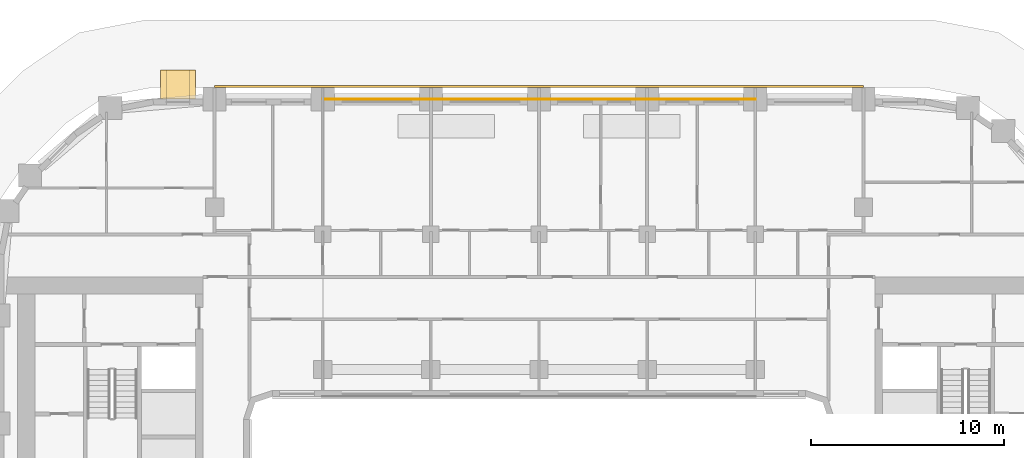
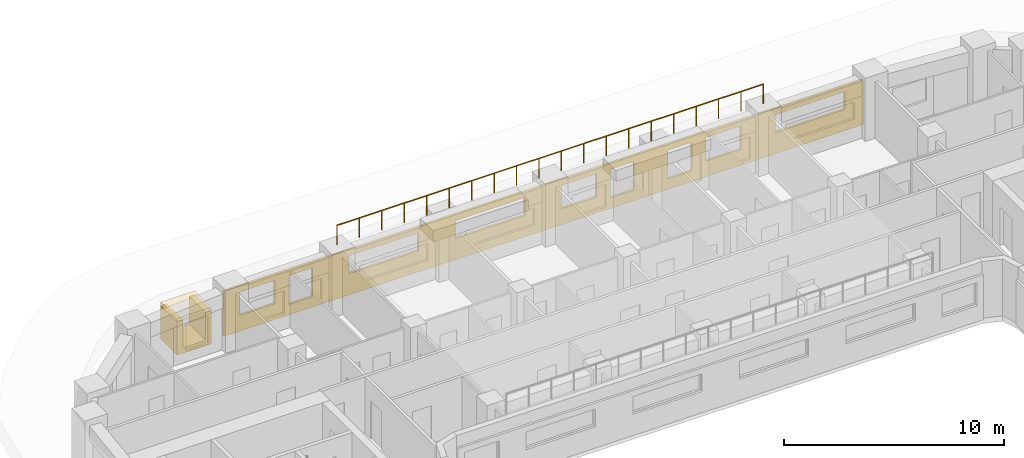
# One storey, part 17 of 18: 3 coverings, 1 railing.
"""IFC4 building model written with IfcOpenShell, lengths in metres."""

from ifc_helpers import new_model, si_unit, direction, frame, origin, origin_2d, place, context, subcontext, project, spatial, polyline, rectangle, circle, outline, extrude, material, layer, layer_set, type_object, element, save


model = new_model("IFC4")

# Units and contexts
model_context = context("Model", 3, precision=1e-05, world=origin(), true_north=direction((0.0, 1.0)))
body_context = subcontext(model_context, "Body", "Model", "MODEL_VIEW")
ifc_project = project(units=[si_unit("LENGTHUNIT", "METRE"), si_unit("AREAUNIT", "SQUARE_METRE"), si_unit("VOLUMEUNIT", "CUBIC_METRE"), si_unit("PLANEANGLEUNIT", "RADIAN"), si_unit("MASSUNIT", "GRAM", prefix="KILO")], contexts=[model_context])

# Site, building, storey
site_placement = place(None, origin())
site = spatial("IfcSite", under=ifc_project, at=site_placement, CompositionType="ELEMENT")
building_placement = place(site_placement, origin())
building = spatial("IfcBuilding", under=site, at=building_placement, Name="Kiln Ring Residences", CompositionType="ELEMENT")
storey_placement = place(building_placement, frame((0.0, 0.0, 121.800048828125)))
storey = spatial("IfcBuildingStorey", under=building, at=storey_placement, Name="L31", CompositionType="ELEMENT", Elevation=121.800048828125)

# Coverings
ifc_material_1 = material(Name="Brick masonry, dark clay brick", Category="masonry")
ifc_layer_1 = layer(ifc_material_1, 0.300048828125)
ifc_layer_set_1 = layer_set([ifc_layer_1], Name="FRAME CHEEKS AND SILL 1500")
covering_type_1 = type_object("IfcCoveringType", Name="FRAME CHEEKS AND SILL 1500", PredefinedType="CLADDING", material=ifc_layer_set_1)
covering_1_placement = place(storey_placement, frame((-17.800048828125, 23.14990234375, 0.300048828125), z_axis=(0.0, 0.0, 1.0), x_axis=(-1.0, 0.0, 0.0)))
element("IfcCovering", 1, at=covering_1_placement, inside=storey, type_object=covering_type_1, Name="FRAME L31", PredefinedType="CLADDING", context=body_context, shape_type="SweptSolid", body=[
    extrude(outline(polyline([(0.0, 0.0), (1.800048828125, 0.0), (1.800048828125, 1.849853515625), (1.5009765625, 1.849853515625), (1.5, 0.2998046875), (0.300048828125, 0.2998046875), (0.299072265625, 1.849853515625), (0.0, 1.849853515625), (0.0, 0.0)])), frame((0.0, 0.75, 0.0), z_axis=(0.0, -1.0, 0.0), x_axis=(1.0, 0.0, 0.0)), (0.0, 0.0, 1.0), 1.5),
])
ifc_material_2 = material(Name="Brick masonry, dark clay brick", Category="masonry")
ifc_layer_2 = layer(ifc_material_2, 0.199951171875)
ifc_layer_set_2 = layer_set([ifc_layer_2], Name="FRAME HEAD 1500")
covering_type_2 = type_object("IfcCoveringType", Name="FRAME HEAD 1500", PredefinedType="CLADDING", material=ifc_layer_set_2)
covering_2_placement = place(storey_placement, frame((-18.699951171875, 23.14990234375, 2.14990234375), z_axis=(0.0, 0.0, 1.0), x_axis=(-1.0, 0.0, 0.0)))
element("IfcCovering", 2, at=covering_2_placement, inside=storey, type_object=covering_type_2, Name="FRAME HEAD L31", PredefinedType="CLADDING", context=body_context, shape_type="SweptSolid", body=[
    extrude(rectangle(XDim=1.800048828125, YDim=1.5, at=origin_2d()), origin(), (0.0, 0.0, 1.0), 0.199951171875),
])
ifc_material_3 = material(Name="Brick masonry, dark clay brick", Category="masonry")
ifc_layer_3 = layer(ifc_material_3, 0.1201171875)
ifc_layer_set_3 = layer_set([ifc_layer_3], Name="RAINSCREEN PANEL 120")
covering_type_3 = type_object("IfcCoveringType", Name="RAINSCREEN PANEL 120", PredefinedType="CLADDING", material=ifc_layer_set_3)
covering_3_placement = place(storey_placement, frame((16.800048828125, 23.06005859375, 0.0), z_axis=(0.0, 0.0, 1.0), x_axis=(-1.0, 0.0, 0.0)))
element("IfcCovering", 3, at=covering_3_placement, inside=storey, type_object=covering_type_3, Name="RAINSCREEN L31", PredefinedType="CLADDING", context=body_context, shape_type="SweptSolid", body=[
    extrude(outline(polyline([(0.0, 0.0), (33.60009765625, 0.0), (33.60009765625, 2.5), (0.0, 2.5), (0.0, 0.0)]), holes=[polyline([(9.017578125, 0.579833984375), (10.257568359375, 0.579833984375), (10.257568359375, 2.169921875), (9.017578125, 2.169921875), (9.017578125, 0.579833984375)]), polyline([(12.04248046875, 0.579833984375), (13.282470703125, 0.579833984375), (13.282470703125, 2.169921875), (12.04248046875, 2.169921875), (12.04248046875, 0.579833984375)]), polyline([(28.9423828125, 0.579833984375), (30.1826171875, 0.579833984375), (30.1826171875, 2.169921875), (28.9423828125, 2.169921875), (28.9423828125, 0.579833984375)]), polyline([(6.4423828125, 0.8798828125), (8.282470703125, 0.8798828125), (8.282470703125, 2.169921875), (6.4423828125, 2.169921875), (6.4423828125, 0.8798828125)]), polyline([(14.017578125, 0.8798828125), (15.857421875, 0.8798828125), (15.857421875, 2.169921875), (14.017578125, 2.169921875), (14.017578125, 0.8798828125)]), polyline([(30.91748046875, 0.8798828125), (32.757568359375, 0.8798828125), (32.757568359375, 2.169921875), (30.91748046875, 2.169921875), (30.91748046875, 0.8798828125)]), polyline([(0.97998046875, 1.179931640625), (4.6201171875, 1.179931640625), (4.6201171875, 2.169921875), (0.97998046875, 2.169921875), (0.97998046875, 1.179931640625)]), polyline([(17.780029296875, 2.169921875), (17.780029296875, 1.179931640625), (21.419921875, 1.179931640625), (21.419921875, 2.169921875), (17.780029296875, 2.169921875)]), polyline([(23.3798828125, 2.169921875), (23.3798828125, 1.179931640625), (27.02001953125, 1.179931640625), (27.02001953125, 2.169921875), (23.3798828125, 2.169921875)])]), frame((0.0, 0.06005859375, 0.0), z_axis=(0.0, -1.0, 0.0), x_axis=(1.0, 0.0, 0.0)), (0.0, 0.0, 1.0), 0.1201171875),
])

# Railing
ifc_material_4 = material(Name="Black powder-coated steel", Category="steel")
railing_type = type_object("IfcRailingType", Name="ROOF GUARD 1100", PredefinedType="GUARDRAIL", material=ifc_material_4)
railing_placement = place(storey_placement, frame((11.199951171875, 22.39990234375, 3.5)))
element("IfcRailing", 4, at=railing_placement, inside=storey, type_object=railing_type, Name="GUARD L31 sky portal terrace", PredefinedType="GUARDRAIL", context=body_context, shape_type="SweptSolid", body=[
    extrude(circle(Radius=0.02392578125, at=origin_2d()), frame((0.0, 0.0, 1.076171875), z_axis=(-1.0, 0.0, 0.0), x_axis=(0.0, -1.0, 0.0)), (0.0, 0.0, 1.0), 22.39990234375),
    extrude(circle(Radius=0.02099609375, at=origin_2d()), origin(), (0.0, 0.0, 1.0), 1.052001953125),
    extrude(circle(Radius=0.02099609375, at=origin_2d()), frame((-1.178955078125, 0.0, 0.0)), (0.0, 0.0, 1.0), 1.052001953125),
    extrude(circle(Radius=0.02099609375, at=origin_2d()), frame((-2.35791015625, 0.0, 0.0)), (0.0, 0.0, 1.0), 1.052001953125),
    extrude(circle(Radius=0.02099609375, at=origin_2d()), frame((-3.536865234375, 0.0, 0.0)), (0.0, 0.0, 1.0), 1.052001953125),
    extrude(circle(Radius=0.02099609375, at=origin_2d()), frame((-4.7158203125, 0.0, 0.0)), (0.0, 0.0, 1.0), 1.052001953125),
    extrude(circle(Radius=0.02099609375, at=origin_2d()), frame((-5.894775390625, 0.0, 0.0)), (0.0, 0.0, 1.0), 1.052001953125),
    extrude(circle(Radius=0.02099609375, at=origin_2d()), frame((-7.07373046875, 0.0, 0.0)), (0.0, 0.0, 1.0), 1.052001953125),
    extrude(circle(Radius=0.02099609375, at=origin_2d()), frame((-8.252685546875, 0.0, 0.0)), (0.0, 0.0, 1.0), 1.052001953125),
    extrude(circle(Radius=0.02099609375, at=origin_2d()), frame((-9.431640625, 0.0, 0.0)), (0.0, 0.0, 1.0), 1.052001953125),
    extrude(circle(Radius=0.02099609375, at=origin_2d()), frame((-10.610595703125, 0.0, 0.0)), (0.0, 0.0, 1.0), 1.052001953125),
    extrude(circle(Radius=0.02099609375, at=origin_2d()), frame((-11.789306640625, 0.0, 0.0)), (0.0, 0.0, 1.0), 1.052001953125),
    extrude(circle(Radius=0.02099609375, at=origin_2d()), frame((-12.96826171875, 0.0, 0.0)), (0.0, 0.0, 1.0), 1.052001953125),
    extrude(circle(Radius=0.02099609375, at=origin_2d()), frame((-14.147216796875, 0.0, 0.0)), (0.0, 0.0, 1.0), 1.052001953125),
    extrude(circle(Radius=0.02099609375, at=origin_2d()), frame((-15.326171875, 0.0, 0.0)), (0.0, 0.0, 1.0), 1.052001953125),
    extrude(circle(Radius=0.02099609375, at=origin_2d()), frame((-16.505126953125, 0.0, 0.0)), (0.0, 0.0, 1.0), 1.052001953125),
    extrude(circle(Radius=0.02099609375, at=origin_2d()), frame((-17.68408203125, 0.0, 0.0)), (0.0, 0.0, 1.0), 1.052001953125),
    extrude(circle(Radius=0.02099609375, at=origin_2d()), frame((-18.863037109375, 0.0, 0.0)), (0.0, 0.0, 1.0), 1.052001953125),
    extrude(circle(Radius=0.02099609375, at=origin_2d()), frame((-20.0419921875, 0.0, 0.0)), (0.0, 0.0, 1.0), 1.052001953125),
    extrude(circle(Radius=0.02099609375, at=origin_2d()), frame((-21.220947265625, 0.0, 0.0)), (0.0, 0.0, 1.0), 1.052001953125),
    extrude(circle(Radius=0.02099609375, at=origin_2d()), frame((-22.39990234375, 0.0, 0.0)), (0.0, 0.0, 1.0), 1.052001953125),
])

save(model, "model.ifc")
